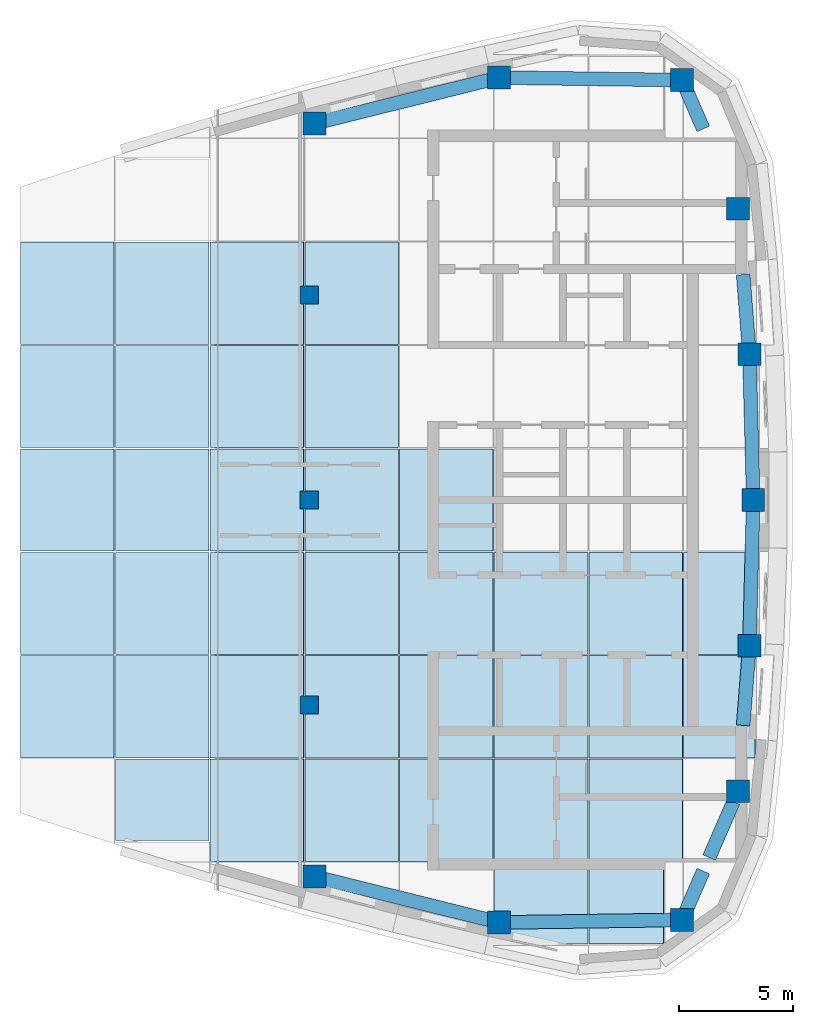
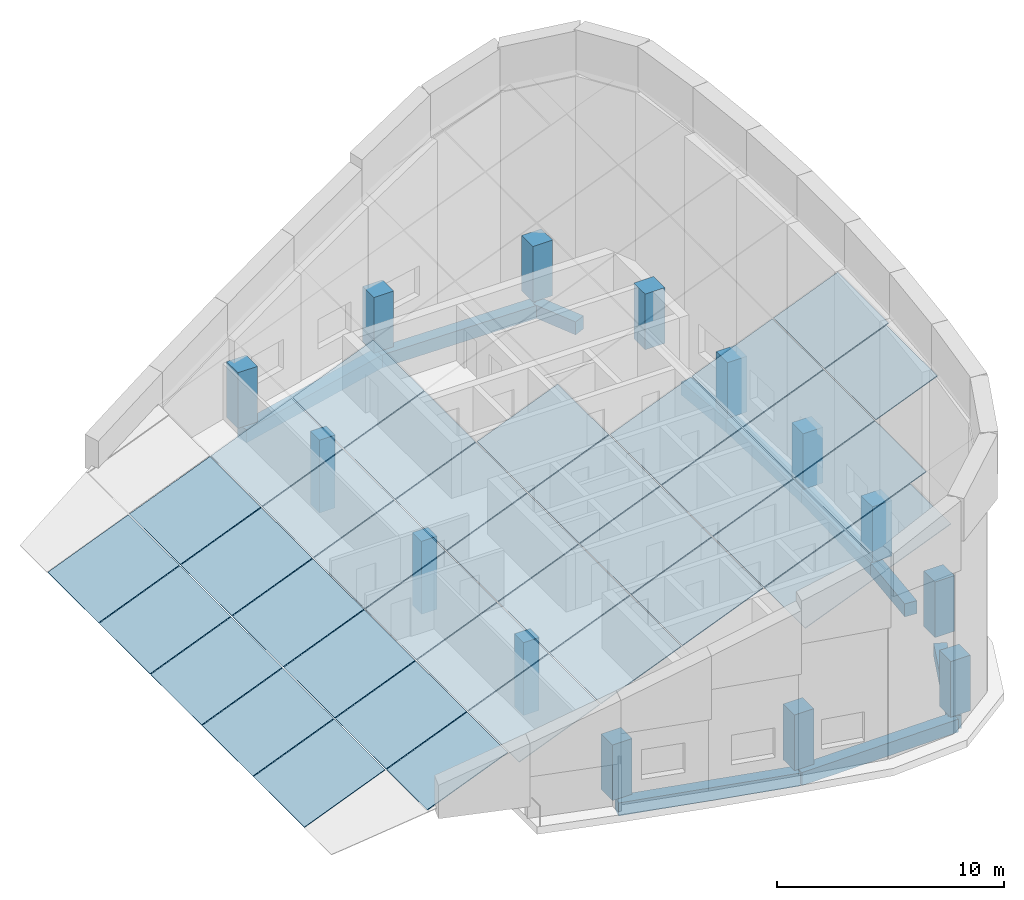
# One storey, part 1 of 6: 37 plates, 14 columns, 11 beams, 8 elements without a shape of their own.
"""IFC4 building model written with IfcOpenShell, lengths in metres."""

from ifc_helpers import new_model, si_unit, direction, frame, origin, origin_2d, place, context, subcontext, project, spatial, polyline, rectangle, outline, extrude, material, layer, layer_set, material_profile, profile_set, type_object, element, aggregate, save


model = new_model("IFC4")

# Units and contexts
model_context = context("Model", 3, precision=1e-05, world=origin(), true_north=direction((0.0, 1.0)))
body_context = subcontext(model_context, "Body", "Model", "MODEL_VIEW")
ifc_project = project(units=[si_unit("LENGTHUNIT", "METRE"), si_unit("AREAUNIT", "SQUARE_METRE"), si_unit("VOLUMEUNIT", "CUBIC_METRE"), si_unit("PLANEANGLEUNIT", "RADIAN"), si_unit("MASSUNIT", "GRAM", prefix="KILO")], contexts=[model_context])

# Site, building, storey
site_placement = place(None, origin())
site = spatial("IfcSite", under=ifc_project, at=site_placement, CompositionType="ELEMENT")
building_placement = place(site_placement, origin())
building = spatial("IfcBuilding", under=site, at=building_placement, Name="Ostrand Prow Hotel Tower", CompositionType="ELEMENT")
storey_placement = place(building_placement, frame((0.0, 0.0, 337.39990234375)))
storey = spatial("IfcBuildingStorey", under=building, at=storey_placement, Name="C7", CompositionType="ELEMENT", Elevation=337.39990234375)

# Columns
ifc_material_1 = material(Name="Concrete C40/50", Category="concrete")
ifc_material_profile_1 = material_profile(ifc_material_1, rectangle(XDim=0.800048828125, YDim=0.800048828125, at=origin_2d()), Name="RC 800x800")
ifc_profile_set_1 = profile_set([ifc_material_profile_1], Name="Concrete C40/50")
column_type_1 = type_object("IfcColumnType", Name="Interior column 800x800 C40/50", PredefinedType="COLUMN", material=ifc_profile_set_1)
for number, where, z_axis, x_axis, name in (
    (1, (45.0, -9.0, 0.0), (0.0, 0.0, 1.0), (1.0, 0.0, 0.0), "Interior column 45S9"),
    (2, (45.0, 0.0, 0.0), (0.0, 0.0, 1.0), (1.0, 0.0, 0.0), "Interior column 45C0"),
    (3, (45.0, 9.0, 0.0), (0.0, 0.0, 1.0), (1.0, 0.0, 0.0), "Interior column 45N9"),
):
    element("IfcColumn", number, at=place(storey_placement, frame(where, z_axis=z_axis, x_axis=x_axis)), inside=storey, type_object=column_type_1, Name=name, PredefinedType="COLUMN", context=body_context, shape_type="SweptSolid", body=[
        extrude(rectangle(XDim=0.800048828125, YDim=0.800048828125, at=origin_2d()), origin(), (0.0, 0.0, 1.0), 3.93017578125),
    ])
ifc_material_2 = material(Name="Concrete C40/50", Category="concrete")
ifc_material_profile_2 = material_profile(ifc_material_2, rectangle(XDim=1.0, YDim=1.0, at=origin_2d()), Name="RC 1000x1000")
ifc_profile_set_2 = profile_set([ifc_material_profile_2], Name="Concrete C40/50")
column_type_2 = type_object("IfcColumnType", Name="Stone-faced mega column 1000x1000 C40/50", PredefinedType="COLUMN", material=ifc_profile_set_2)
for number, where, z_axis, x_axis, name in (
    (4, (45.234619140625, -16.53857421875, 0.0), (0.0, 0.0, 1.0), (1.0, 0.0, 0.0), "Mega column S5"),
    (5, (53.3369140625, -18.552978515625, 0.0), (0.0, 0.0, 1.0), (1.0, 0.0, 0.0), "Mega column S6"),
    (6, (61.374267578125, -18.439697265625, 0.0), (0.0, 0.0, 1.0), (1.0, 0.0, 0.0), "Mega column SE"),
    (7, (63.831787109375, -12.7890625, 0.0), (0.0, 0.0, 1.0), (1.0, 0.0, 0.0), "Mega column B1"),
    (8, (64.332763671875, -6.4033203125, 0.0), (0.0, 0.0, 1.0), (1.0, 0.0, 0.0), "Mega column B2"),
    (9, (64.5, 0.0, 0.0), (0.0, 0.0, 1.0), (1.0, 0.0, 0.0), "Mega column B3"),
    (10, (64.332763671875, 6.4033203125, 0.0), (0.0, 0.0, 1.0), (1.0, 0.0, 0.0), "Mega column B4"),
    (11, (63.831787109375, 12.7890625, 0.0), (0.0, 0.0, 1.0), (1.0, 0.0, 0.0), "Mega column B5"),
    (12, (61.374267578125, 18.439697265625, 0.0), (0.0, 0.0, 1.0), (1.0, 0.0, 0.0), "Mega column NE"),
    (13, (53.3369140625, 18.552978515625, 0.0), (0.0, 0.0, 1.0), (1.0, 0.0, 0.0), "Mega column N1"),
    (14, (45.234619140625, 16.53857421875, 0.0), (0.0, 0.0, 1.0), (1.0, 0.0, 0.0), "Mega column N2"),
):
    element("IfcColumn", number, at=place(storey_placement, frame(where, z_axis=z_axis, x_axis=x_axis)), inside=storey, type_object=column_type_2, Name=name, PredefinedType="COLUMN", context=body_context, shape_type="SweptSolid", body=[
        extrude(rectangle(XDim=1.0, YDim=1.0, at=origin_2d()), origin(), (0.0, 0.0, 1.0), 3.0),
    ])

# Beams
ifc_material_3 = material(Name="Concrete C40/50", Category="concrete")
ifc_material_profile_3 = material_profile(ifc_material_3, rectangle(XDim=0.60009765625, YDim=0.699951171875, at=origin_2d()), Name="RC 600x700")
ifc_profile_set_3 = profile_set([ifc_material_profile_3], Name="Concrete C40/50")
beam_type = type_object("IfcBeamType", Name="Edge beam 600x700 C40/50", PredefinedType="SPANDREL", material=ifc_profile_set_3)
beam_1_placement = place(storey_placement, frame((45.234619140625, -16.53857421875, -0.75), z_axis=(0.970456465292, -0.241276291775, 0.0), x_axis=(0.241276291775, 0.970456465292, 0.0)))
element("IfcBeam", 15, at=beam_1_placement, inside=storey, type_object=beam_type, Name="Edge beam S5-S6", PredefinedType="SPANDREL", context=body_context, shape_type="SweptSolid", body=[
    extrude(rectangle(XDim=0.60009765625, YDim=0.699951171875, at=origin_2d()), origin(), (0.0, 0.0, 1.0), 8.348876953125),
])
beam_2_placement = place(storey_placement, frame((53.3369140625, -18.552978515625, -0.75), z_axis=(0.999900689486, 0.014092947356, 0.0), x_axis=(-0.014092947356, 0.999900689486, 0.0)))
element("IfcBeam", 16, at=beam_2_placement, inside=storey, type_object=beam_type, Name="Edge beam S6-SE", PredefinedType="SPANDREL", context=body_context, shape_type="SweptSolid", body=[
    extrude(rectangle(XDim=0.60009765625, YDim=0.699951171875, at=origin_2d()), origin(), (0.0, 0.0, 1.0), 8.0380859375),
])
beam_3_placement = place(storey_placement, frame((61.374267578125, -18.439697265625, -0.75), z_axis=(0.398863844187, 0.91701016014, 0.0), x_axis=(-0.91701016014, 0.398863844187, 0.0)))
element("IfcBeam", 17, at=beam_3_placement, inside=storey, type_object=beam_type, Name="Edge beam SE-B1", PredefinedType="SPANDREL", context=body_context, shape_type="SweptSolid", body=[
    extrude(rectangle(XDim=0.60009765625, YDim=0.699951171875, at=origin_2d()), origin(), (0.0, 0.0, 1.0), 2.333251953125),
])
beam_4_placement = place(storey_placement, frame((62.56591796875, -15.699951171875, -0.75), z_axis=(0.398799624102, 0.917038090712, 0.0), x_axis=(-0.917038090712, 0.398799624102, 0.0)))
element("IfcBeam", 18, at=beam_4_placement, inside=storey, type_object=beam_type, Name="Edge beam SE-B1", PredefinedType="SPANDREL", context=body_context, shape_type="SweptSolid", body=[
    extrude(rectangle(XDim=0.60009765625, YDim=0.699951171875, at=origin_2d()), origin(), (0.0, 0.0, 1.0), 2.671630859375),
])
beam_5_placement = place(storey_placement, frame((64.058349609375, -9.89990234375, -0.75), z_axis=(0.078240080308, 0.996934546414, 0.0), x_axis=(-0.996934546414, 0.078240080308, 0.0)))
element("IfcBeam", 19, at=beam_5_placement, inside=storey, type_object=beam_type, Name="Edge beam B1-B2", PredefinedType="SPANDREL", context=body_context, shape_type="SweptSolid", body=[
    extrude(rectangle(XDim=0.60009765625, YDim=0.699951171875, at=origin_2d()), origin(), (0.0, 0.0, 1.0), 3.50732421875),
])
for number, where, z_axis, x_axis, name in (
    (20, (64.332763671875, -6.4033203125, -0.75), (0.026108223987, 0.999659122221, 0.0), (-0.999659122221, 0.026108223987, 0.0), "Edge beam B2-B3"),
    (21, (64.5, 0.0, -0.75), (-0.026108223987, 0.999659122221, 0.0), (-0.999659122221, -0.026108223987, 0.0), "Edge beam B3-B4"),
):
    element("IfcBeam", number, at=place(storey_placement, frame(where, z_axis=z_axis, x_axis=x_axis)), inside=storey, type_object=beam_type, Name=name, PredefinedType="SPANDREL", context=body_context, shape_type="SweptSolid", body=[
        extrude(rectangle(XDim=0.60009765625, YDim=0.699951171875, at=origin_2d()), origin(), (0.0, 0.0, 1.0), 6.405517578125),
    ])
beam_6_placement = place(storey_placement, frame((64.332763671875, 6.4033203125, -0.75), z_axis=(-0.078240080308, 0.996934546414, 0.0), x_axis=(-0.996934546414, -0.078240080308, 0.0)))
element("IfcBeam", 22, at=beam_6_placement, inside=storey, type_object=beam_type, Name="Edge beam B4-B5", PredefinedType="SPANDREL", context=body_context, shape_type="SweptSolid", body=[
    extrude(rectangle(XDim=0.60009765625, YDim=0.699951171875, at=origin_2d()), origin(), (0.0, 0.0, 1.0), 3.50732421875),
])
beam_7_placement = place(storey_placement, frame((62.304931640625, 16.300048828125, -0.75), z_axis=(-0.398863844187, 0.91701016014, 0.0), x_axis=(-0.91701016014, -0.398863844187, 0.0)))
element("IfcBeam", 23, at=beam_7_placement, inside=storey, type_object=beam_type, Name="Edge beam B5-NE", PredefinedType="SPANDREL", context=body_context, shape_type="SweptSolid", body=[
    extrude(rectangle(XDim=0.60009765625, YDim=0.699951171875, at=origin_2d()), origin(), (0.0, 0.0, 1.0), 2.333251953125),
])
beam_8_placement = place(storey_placement, frame((61.374267578125, 18.439697265625, -0.75), z_axis=(-0.999900689486, 0.014092947356, 0.0), x_axis=(-0.014092947356, -0.999900689486, 0.0)))
element("IfcBeam", 24, at=beam_8_placement, inside=storey, type_object=beam_type, Name="Edge beam NE-N1", PredefinedType="SPANDREL", context=body_context, shape_type="SweptSolid", body=[
    extrude(rectangle(XDim=0.60009765625, YDim=0.699951171875, at=origin_2d()), origin(), (0.0, 0.0, 1.0), 8.0380859375),
])
beam_9_placement = place(storey_placement, frame((53.3369140625, 18.552978515625, -0.75), z_axis=(-0.970456465292, -0.241276291775, 0.0), x_axis=(0.241276291775, -0.970456465292, 0.0)))
element("IfcBeam", 25, at=beam_9_placement, inside=storey, type_object=beam_type, Name="Edge beam N1-N2", PredefinedType="SPANDREL", context=body_context, shape_type="SweptSolid", body=[
    extrude(rectangle(XDim=0.60009765625, YDim=0.699951171875, at=origin_2d()), origin(), (0.0, 0.0, 1.0), 8.348876953125),
])

# Curtain wall, plates
ifc_material_4 = material(Name="Insulated glass in bronze anodised frame", Category="glass")
ifc_layer_1 = layer(ifc_material_4, 0.0400390625)
ifc_layer_set_1 = layer_set([ifc_layer_1], Name="Insulated glass in bronze anodised frame")
curtain_wall_type = type_object("IfcCurtainWallType", Name="Crown slanted glazing system", PredefinedType="NOTDEFINED", material=ifc_layer_set_1)
curtain_wall_1_placement = place(storey_placement, origin())
curtain_wall_1 = element("IfcCurtainWall", 26, at=curtain_wall_1_placement, inside=storey, type_object=curtain_wall_type, Name="CW5 run 7", PredefinedType="NOTDEFINED")
ifc_material_5 = material(Name="Ceramic-fritted glass", Category="glass")
ifc_layer_2 = layer(ifc_material_5, 0.0400390625)
ifc_layer_set_2 = layer_set([ifc_layer_2], Name="Ceramic-fritted glass")
plate_type_1 = type_object("IfcPlateType", Name="Crown glazing panel 40 mm", PredefinedType="CURTAIN_PANEL", material=ifc_layer_set_2)
plate_1_placement = place(storey_placement, frame((32.32421875, -11.328369140625, -0.541015625), z_axis=(-0.374597809374, 0.0, 0.927187403502), x_axis=(0.927187403502, 0.0, 0.374597809374)))
plate_1 = element("IfcPlate", 27, at=plate_1_placement, type_object=plate_type_1, Name="CW5 panel 7.3", PredefinedType="CURTAIN_PANEL", context=body_context, shape_type="SweptSolid", body=[
    extrude(outline(polyline([(0.0, 0.0), (4.4331399962686415, 0.0), (4.4331399962686415, 4.491455078125001), (0.0, 4.491455078125001), (0.0, 0.0)])), origin(), (0.0, 0.0, -1.0), 0.0400390625),
])
plate_2_placement = place(storey_placement, frame((32.32421875, -6.787109375, -0.541015625), z_axis=(-0.374597809374, 0.0, 0.927187403502), x_axis=(0.927187403502, 0.0, 0.374597809374)))
plate_2 = element("IfcPlate", 28, at=plate_2_placement, type_object=plate_type_1, Name="CW5 panel 7.4", PredefinedType="CURTAIN_PANEL", context=body_context, shape_type="SweptSolid", body=[
    extrude(outline(polyline([(0.0, 0.0), (4.4331399962686415, 0.0), (4.4331399962686415, 4.491455078125001), (0.0, 4.491455078125001), (0.0, 0.0)])), origin(), (0.0, 0.0, -1.0), 0.0400390625),
])
plate_3_placement = place(storey_placement, frame((32.32421875, -2.24560546875, -0.541015625), z_axis=(-0.374597809374, 0.0, 0.927187403502), x_axis=(0.927187403502, 0.0, 0.374597809374)))
plate_3 = element("IfcPlate", 29, at=plate_3_placement, type_object=plate_type_1, Name="CW5 panel 7.5", PredefinedType="CURTAIN_PANEL", context=body_context, shape_type="SweptSolid", body=[
    extrude(outline(polyline([(0.0, 0.0), (4.4331399962686415, 0.0), (4.4331399962686415, 4.491210937500001), (0.0, 4.491210937500001), (0.0, 0.0)])), origin(), (0.0, 0.0, -1.0), 0.0400390625),
])

curtain_wall_2_placement = place(storey_placement, origin())
curtain_wall_2 = element("IfcCurtainWall", 30, at=curtain_wall_2_placement, inside=storey, type_object=curtain_wall_type, Name="CW5 run 8", PredefinedType="NOTDEFINED")
plate_4_placement = place(storey_placement, frame((36.484619140625, -6.787109375, 1.139892578125), z_axis=(-0.37455046405, 0.0, 0.927206530326), x_axis=(0.927206530326, 0.0, 0.37455046405)))
plate_4 = element("IfcPlate", 31, at=plate_4_placement, type_object=plate_type_1, Name="CW5 panel 8.4", PredefinedType="CURTAIN_PANEL", context=body_context, shape_type="SweptSolid", body=[
    extrude(outline(polyline([(0.0, 0.0), (4.433048547504735, 0.0), (4.433048547504735, 4.491455078125), (0.0, 4.491455078125), (0.0, 0.0)])), origin(), (0.0, 0.0, -1.0), 0.0400390625),
])
plate_5_placement = place(storey_placement, frame((36.484619140625, -2.24560546875, 1.139892578125), z_axis=(-0.37455046405, 0.0, 0.927206530326), x_axis=(0.927206530326, 0.0, 0.37455046405)))
plate_5 = element("IfcPlate", 32, at=plate_5_placement, type_object=plate_type_1, Name="CW5 panel 8.5", PredefinedType="CURTAIN_PANEL", context=body_context, shape_type="SweptSolid", body=[
    extrude(outline(polyline([(0.0, 0.0), (4.433048547504735, 0.0), (4.433048547504735, 4.4912109375), (0.0, 4.4912109375), (0.0, 0.0)])), origin(), (0.0, 0.0, -1.0), 0.0400390625),
])
plate_6_placement = place(storey_placement, frame((36.484619140625, 2.295654296875, 1.139892578125), z_axis=(-0.37455046405, 0.0, 0.927206530326), x_axis=(0.927206530326, 0.0, 0.37455046405)))
plate_6 = element("IfcPlate", 33, at=plate_6_placement, type_object=plate_type_1, Name="CW5 panel 8.6", PredefinedType="CURTAIN_PANEL", context=body_context, shape_type="SweptSolid", body=[
    extrude(outline(polyline([(0.0, 0.0), (4.433048547504735, 0.0), (4.433048547504735, 4.491455078125), (0.0, 4.491455078125), (0.0, 0.0)])), origin(), (0.0, 0.0, -1.0), 0.0400390625),
])

curtain_wall_3_placement = place(storey_placement, origin())
curtain_wall_3 = element("IfcCurtainWall", 34, at=curtain_wall_3_placement, inside=storey, type_object=curtain_wall_type, Name="CW5 run 9", PredefinedType="NOTDEFINED")
plate_7_placement = place(storey_placement, frame((40.64501953125, -15.86962890625, 2.820556640625), z_axis=(-0.37461693791, 0.0, 0.927179675053), x_axis=(0.927179675053, 0.0, 0.37461693791)))
plate_7 = element("IfcPlate", 35, at=plate_7_placement, type_object=plate_type_1, Name="CW5 panel 9.2", PredefinedType="CURTAIN_PANEL", context=body_context, shape_type="SweptSolid", body=[
    extrude(outline(polyline([(0.0, 0.0), (4.432913633099848, 0.0), (4.432913633099848, 4.4912109375), (0.0, 4.4912109375), (0.0, 0.0)])), origin(), (0.0, 0.0, -1.0), 0.0400390625),
])
plate_8_placement = place(storey_placement, frame((40.64501953125, -2.24560546875, 2.820556640625), z_axis=(-0.37461693791, 0.0, 0.927179675053), x_axis=(0.927179675053, 0.0, 0.37461693791)))
plate_8 = element("IfcPlate", 36, at=plate_8_placement, type_object=plate_type_1, Name="CW5 panel 9.5", PredefinedType="CURTAIN_PANEL", context=body_context, shape_type="SweptSolid", body=[
    extrude(outline(polyline([(0.0, 0.0), (4.432913633099848, 0.0), (4.432913633099848, 4.4912109375), (0.0, 4.4912109375), (0.0, 0.0)])), origin(), (0.0, 0.0, -1.0), 0.0400390625),
])
plate_9_placement = place(storey_placement, frame((40.64501953125, 2.295654296875, 2.820556640625), z_axis=(-0.37461693791, 0.0, 0.927179675053), x_axis=(0.927179675053, 0.0, 0.37461693791)))
plate_9 = element("IfcPlate", 37, at=plate_9_placement, type_object=plate_type_1, Name="CW5 panel 9.6", PredefinedType="CURTAIN_PANEL", context=body_context, shape_type="SweptSolid", body=[
    extrude(outline(polyline([(0.0, 0.0), (4.432913633099848, 0.0), (4.432913633099848, 4.491455078125001), (0.0, 4.491455078125001), (0.0, 0.0)])), origin(), (0.0, 0.0, -1.0), 0.0400390625),
])
plate_10_placement = place(storey_placement, frame((40.64501953125, 6.8369140625, 2.820556640625), z_axis=(-0.37461693791, 0.0, 0.927179675053), x_axis=(0.927179675053, 0.0, 0.37461693791)))
plate_10 = element("IfcPlate", 38, at=plate_10_placement, type_object=plate_type_1, Name="CW5 panel 9.7", PredefinedType="CURTAIN_PANEL", context=body_context, shape_type="SweptSolid", body=[
    extrude(outline(polyline([(0.0, 0.0), (4.432913633099848, 0.0), (4.432913633099848, 4.491455078125001), (0.0, 4.491455078125001), (0.0, 0.0)])), origin(), (0.0, 0.0, -1.0), 0.0400390625),
])

curtain_wall_4_placement = place(storey_placement, origin())
curtain_wall_4 = element("IfcCurtainWall", 39, at=curtain_wall_4_placement, inside=storey, type_object=curtain_wall_type, Name="CW5 run 10", PredefinedType="NOTDEFINED")
plate_11_placement = place(storey_placement, frame((44.80517578125, -15.86962890625, 4.50146484375), z_axis=(-0.374597809374, 0.0, 0.927187403502), x_axis=(0.927187403502, 0.0, 0.374597809374)))
plate_11 = element("IfcPlate", 40, at=plate_11_placement, type_object=plate_type_1, Name="CW5 panel 10.2", PredefinedType="CURTAIN_PANEL", context=body_context, shape_type="SweptSolid", body=[
    extrude(outline(polyline([(0.0, 0.0), (4.4331399962686415, 0.0), (4.4331399962686415, 4.491210937500001), (0.0, 4.491210937500001), (0.0, 0.0)])), origin(), (0.0, 0.0, -1.0), 0.0400390625),
])
plate_12_placement = place(storey_placement, frame((44.80517578125, -11.328369140625, 4.50146484375), z_axis=(-0.374597809374, 0.0, 0.927187403502), x_axis=(0.927187403502, 0.0, 0.374597809374)))
plate_12 = element("IfcPlate", 41, at=plate_12_placement, type_object=plate_type_1, Name="CW5 panel 10.3", PredefinedType="CURTAIN_PANEL", context=body_context, shape_type="SweptSolid", body=[
    extrude(outline(polyline([(0.0, 0.0), (4.4331399962686415, 0.0), (4.4331399962686415, 4.491455078125001), (0.0, 4.491455078125001), (0.0, 0.0)])), origin(), (0.0, 0.0, -1.0), 0.0400390625),
])
plate_13_placement = place(storey_placement, frame((44.80517578125, 2.295654296875, 4.50146484375), z_axis=(-0.374597809374, 0.0, 0.927187403502), x_axis=(0.927187403502, 0.0, 0.374597809374)))
plate_13 = element("IfcPlate", 42, at=plate_13_placement, type_object=plate_type_1, Name="CW5 panel 10.6", PredefinedType="CURTAIN_PANEL", context=body_context, shape_type="SweptSolid", body=[
    extrude(outline(polyline([(0.0, 0.0), (4.4331399962686415, 0.0), (4.4331399962686415, 4.491455078125001), (0.0, 4.491455078125001), (0.0, 0.0)])), origin(), (0.0, 0.0, -1.0), 0.0400390625),
])
plate_14_placement = place(storey_placement, frame((44.80517578125, 6.8369140625, 4.50146484375), z_axis=(-0.374597809374, 0.0, 0.927187403502), x_axis=(0.927187403502, 0.0, 0.374597809374)))
plate_14 = element("IfcPlate", 43, at=plate_14_placement, type_object=plate_type_1, Name="CW5 panel 10.7", PredefinedType="CURTAIN_PANEL", context=body_context, shape_type="SweptSolid", body=[
    extrude(outline(polyline([(0.0, 0.0), (4.4331399962686415, 0.0), (4.4331399962686415, 4.491455078125001), (0.0, 4.491455078125001), (0.0, 0.0)])), origin(), (0.0, 0.0, -1.0), 0.0400390625),
])

curtain_wall_5_placement = place(storey_placement, origin())
curtain_wall_5 = element("IfcCurtainWall", 44, at=curtain_wall_5_placement, inside=storey, type_object=curtain_wall_type, Name="CW5 run 11", PredefinedType="NOTDEFINED")
plate_15_placement = place(storey_placement, frame((48.965576171875, -15.86962890625, 6.18212890625), z_axis=(-0.374597809374, 0.0, 0.927187403502), x_axis=(0.927187403502, 0.0, 0.374597809374)))
plate_15 = element("IfcPlate", 45, at=plate_15_placement, type_object=plate_type_1, Name="CW5 panel 11.2", PredefinedType="CURTAIN_PANEL", context=body_context, shape_type="SweptSolid", body=[
    extrude(outline(polyline([(0.0, 0.0), (4.4331399962686415, 0.0), (4.4331399962686415, 4.491210937500001), (0.0, 4.491210937500001), (0.0, 0.0)])), origin(), (0.0, 0.0, -1.0), 0.0400390625),
])
plate_16_placement = place(storey_placement, frame((48.965576171875, -11.328369140625, 6.18212890625), z_axis=(-0.374597809374, 0.0, 0.927187403502), x_axis=(0.927187403502, 0.0, 0.374597809374)))
plate_16 = element("IfcPlate", 46, at=plate_16_placement, type_object=plate_type_1, Name="CW5 panel 11.3", PredefinedType="CURTAIN_PANEL", context=body_context, shape_type="SweptSolid", body=[
    extrude(outline(polyline([(0.0, 0.0), (4.4331399962686415, 0.0), (4.4331399962686415, 4.491455078125001), (0.0, 4.491455078125001), (0.0, 0.0)])), origin(), (0.0, 0.0, -1.0), 0.0400390625),
])
plate_17_placement = place(storey_placement, frame((48.965576171875, -6.787109375, 6.18212890625), z_axis=(-0.374597809374, 0.0, 0.927187403502), x_axis=(0.927187403502, 0.0, 0.374597809374)))
plate_17 = element("IfcPlate", 47, at=plate_17_placement, type_object=plate_type_1, Name="CW5 panel 11.4", PredefinedType="CURTAIN_PANEL", context=body_context, shape_type="SweptSolid", body=[
    extrude(outline(polyline([(0.0, 0.0), (4.4331399962686415, 0.0), (4.4331399962686415, 4.491455078125001), (0.0, 4.491455078125001), (0.0, 0.0)])), origin(), (0.0, 0.0, -1.0), 0.0400390625),
])

curtain_wall_6_placement = place(storey_placement, origin())
curtain_wall_6 = element("IfcCurtainWall", 48, at=curtain_wall_6_placement, inside=storey, type_object=curtain_wall_type, Name="CW5 run 12", PredefinedType="NOTDEFINED")
plate_18_placement = place(storey_placement, frame((53.1259765625, -11.328369140625, 7.863037109375), z_axis=(-0.37455046405, 0.0, 0.927206530326), x_axis=(0.927206530326, 0.0, 0.37455046405)))
plate_18 = element("IfcPlate", 49, at=plate_18_placement, type_object=plate_type_1, Name="CW5 panel 12.3", PredefinedType="CURTAIN_PANEL", context=body_context, shape_type="SweptSolid", body=[
    extrude(outline(polyline([(0.0, 0.0), (4.433048547504735, 0.0), (4.433048547504735, 4.491455078125), (0.0, 4.491455078125), (0.0, 0.0)])), origin(), (0.0, 0.0, -1.0), 0.0400390625),
])
plate_19_placement = place(storey_placement, frame((53.1259765625, -6.787109375, 7.863037109375), z_axis=(-0.37455046405, 0.0, 0.927206530326), x_axis=(0.927206530326, 0.0, 0.37455046405)))
plate_19 = element("IfcPlate", 50, at=plate_19_placement, type_object=plate_type_1, Name="CW5 panel 12.4", PredefinedType="CURTAIN_PANEL", context=body_context, shape_type="SweptSolid", body=[
    extrude(outline(polyline([(0.0, 0.0), (4.433048547504735, 0.0), (4.433048547504735, 4.491455078125), (0.0, 4.491455078125), (0.0, 0.0)])), origin(), (0.0, 0.0, -1.0), 0.0400390625),
])

curtain_wall_7_placement = place(storey_placement, origin())
curtain_wall_7 = element("IfcCurtainWall", 51, at=curtain_wall_7_placement, inside=storey, type_object=curtain_wall_type, Name="CW5 run 13", PredefinedType="NOTDEFINED")
plate_20_placement = place(storey_placement, frame((60.564453125, -19.477783203125, 10.8681640625), z_axis=(-0.374614896272, 0.0, 0.927180499952), x_axis=(0.0, 1.0, 0.0)))
plate_20 = element("IfcPlate", 52, at=plate_20_placement, type_object=plate_type_1, Name="CW5 panel 13.1", PredefinedType="CURTAIN_PANEL", context=body_context, shape_type="SweptSolid", body=[
    extrude(outline(polyline([(0.0, 0.0), (3.55810546875, 0.0), (3.55810546875, 3.5355318323071834), (0.0, 3.5355318323071834), (0.0, 0.0)])), origin(), (0.0, 0.0, -1.0), 0.0400390625),
])
plate_21_placement = place(storey_placement, frame((57.286376953125, -6.787109375, 9.543701171875), z_axis=(-0.37461693791, 0.0, 0.927179675053), x_axis=(0.927179675053, 0.0, 0.37461693791)))
plate_21 = element("IfcPlate", 53, at=plate_21_placement, type_object=plate_type_1, Name="CW5 panel 13.4", PredefinedType="CURTAIN_PANEL", context=body_context, shape_type="SweptSolid", body=[
    extrude(outline(polyline([(0.0, 0.0), (4.432913633099848, 0.0), (4.432913633099848, 4.491455078125001), (0.0, 4.491455078125001), (0.0, 0.0)])), origin(), (0.0, 0.0, -1.0), 0.0400390625),
])

# Plate
ifc_material_6 = material(Name="Ceramic-fritted glass", Category="glass")
ifc_layer_3 = layer(ifc_material_6, 0.031982421875)
ifc_layer_set_3 = layer_set([ifc_layer_3], Name="Ceramic-fritted glass")
plate_type_2 = type_object("IfcPlateType", Name="Dot-fritted ceramic glass unit 32 mm", PredefinedType="CURTAIN_PANEL", material=ifc_layer_set_3)
plate_22_placement = place(storey_placement, frame((32.32421875, 2.295654296875, -0.541015625), z_axis=(-0.374597809374, 0.0, 0.927187403502), x_axis=(0.927187403502, 0.0, 0.374597809374)))
plate_22 = element("IfcPlate", 54, at=plate_22_placement, type_object=plate_type_2, Name="CW5 panel 7.6", PredefinedType="CURTAIN_PANEL", context=body_context, shape_type="SweptSolid", body=[
    extrude(outline(polyline([(0.0, 0.0), (4.4331399962686415, 0.0), (4.4331399962686415, 4.491455078125001), (0.0, 4.491455078125001), (0.0, 0.0)])), origin(), (0.0, 0.0, -1.0), 0.0400390625),
])

plate_23_placement = place(storey_placement, frame((32.32421875, 6.8369140625, -0.541015625), z_axis=(-0.374597809374, 0.0, 0.927187403502), x_axis=(0.927187403502, 0.0, 0.374597809374)))
plate_23 = element("IfcPlate", 55, at=plate_23_placement, type_object=plate_type_2, Name="CW5 panel 7.7", PredefinedType="CURTAIN_PANEL", context=body_context, shape_type="SweptSolid", body=[
    extrude(outline(polyline([(0.0, 0.0), (4.4331399962686415, 0.0), (4.4331399962686415, 4.491455078125001), (0.0, 4.491455078125001), (0.0, 0.0)])), origin(), (0.0, 0.0, -1.0), 0.0400390625),
])

aggregate(curtain_wall_1, [plate_1, plate_2, plate_3, plate_22, plate_23])

plate_24_placement = place(storey_placement, frame((40.594970703125, -14.96142578125, 2.80029296875), z_axis=(-0.37455046405, 0.0, 0.927206530326), x_axis=(0.0, 1.0, 0.0)))
plate_24 = element("IfcPlate", 56, at=plate_24_placement, type_object=plate_type_2, Name="CW5 panel 8.2", PredefinedType="CURTAIN_PANEL", context=body_context, shape_type="SweptSolid", body=[
    extrude(outline(polyline([(0.0, 0.0), (3.5830078125, 0.0), (3.5830078125, 4.433048547504735), (0.0, 4.433048547504735), (0.0, 0.0)])), origin(), (0.0, 0.0, -1.0), 0.0400390625),
])

plate_25_placement = place(storey_placement, frame((36.484619140625, -11.328369140625, 1.139892578125), z_axis=(-0.37455046405, 0.0, 0.927206530326), x_axis=(0.927206530326, 0.0, 0.37455046405)))
plate_25 = element("IfcPlate", 57, at=plate_25_placement, type_object=plate_type_2, Name="CW5 panel 8.3", PredefinedType="CURTAIN_PANEL", context=body_context, shape_type="SweptSolid", body=[
    extrude(outline(polyline([(0.0, 0.0), (4.433048547504735, 0.0), (4.433048547504735, 4.491455078125), (0.0, 4.491455078125), (0.0, 0.0)])), origin(), (0.0, 0.0, -1.0), 0.0400390625),
])

plate_26_placement = place(storey_placement, frame((36.484619140625, 6.8369140625, 1.139892578125), z_axis=(-0.37455046405, 0.0, 0.927206530326), x_axis=(0.927206530326, 0.0, 0.37455046405)))
plate_26 = element("IfcPlate", 58, at=plate_26_placement, type_object=plate_type_2, Name="CW5 panel 8.7", PredefinedType="CURTAIN_PANEL", context=body_context, shape_type="SweptSolid", body=[
    extrude(outline(polyline([(0.0, 0.0), (4.433048547504735, 0.0), (4.433048547504735, 4.491455078125), (0.0, 4.491455078125), (0.0, 0.0)])), origin(), (0.0, 0.0, -1.0), 0.0400390625),
])

aggregate(curtain_wall_2, [plate_24, plate_25, plate_4, plate_5, plate_6, plate_26])

plate_27_placement = place(storey_placement, frame((40.64501953125, -11.328369140625, 2.820556640625), z_axis=(-0.37461693791, 0.0, 0.927179675053), x_axis=(0.927179675053, 0.0, 0.37461693791)))
plate_27 = element("IfcPlate", 59, at=plate_27_placement, type_object=plate_type_2, Name="CW5 panel 9.3", PredefinedType="CURTAIN_PANEL", context=body_context, shape_type="SweptSolid", body=[
    extrude(outline(polyline([(0.0, 0.0), (4.432913633099848, 0.0), (4.432913633099848, 4.491455078125001), (0.0, 4.491455078125001), (0.0, 0.0)])), origin(), (0.0, 0.0, -1.0), 0.0400390625),
])

plate_28_placement = place(storey_placement, frame((40.64501953125, -6.787109375, 2.820556640625), z_axis=(-0.37461693791, 0.0, 0.927179675053), x_axis=(0.927179675053, 0.0, 0.37461693791)))
plate_28 = element("IfcPlate", 60, at=plate_28_placement, type_object=plate_type_2, Name="CW5 panel 9.4", PredefinedType="CURTAIN_PANEL", context=body_context, shape_type="SweptSolid", body=[
    extrude(outline(polyline([(0.0, 0.0), (4.432913633099848, 0.0), (4.432913633099848, 4.491455078125001), (0.0, 4.491455078125001), (0.0, 0.0)])), origin(), (0.0, 0.0, -1.0), 0.0400390625),
])

aggregate(curtain_wall_3, [plate_7, plate_27, plate_28, plate_8, plate_9, plate_10])

plate_29_placement = place(storey_placement, frame((44.80517578125, -6.787109375, 4.50146484375), z_axis=(-0.374597809374, 0.0, 0.927187403502), x_axis=(0.927187403502, 0.0, 0.374597809374)))
plate_29 = element("IfcPlate", 61, at=plate_29_placement, type_object=plate_type_2, Name="CW5 panel 10.4", PredefinedType="CURTAIN_PANEL", context=body_context, shape_type="SweptSolid", body=[
    extrude(outline(polyline([(0.0, 0.0), (4.4331399962686415, 0.0), (4.4331399962686415, 4.491455078125001), (0.0, 4.491455078125001), (0.0, 0.0)])), origin(), (0.0, 0.0, -1.0), 0.0400390625),
])

plate_30_placement = place(storey_placement, frame((44.80517578125, -2.24560546875, 4.50146484375), z_axis=(-0.374597809374, 0.0, 0.927187403502), x_axis=(0.927187403502, 0.0, 0.374597809374)))
plate_30 = element("IfcPlate", 62, at=plate_30_placement, type_object=plate_type_2, Name="CW5 panel 10.5", PredefinedType="CURTAIN_PANEL", context=body_context, shape_type="SweptSolid", body=[
    extrude(outline(polyline([(0.0, 0.0), (4.4331399962686415, 0.0), (4.4331399962686415, 4.491210937500001), (0.0, 4.491210937500001), (0.0, 0.0)])), origin(), (0.0, 0.0, -1.0), 0.0400390625),
])

aggregate(curtain_wall_4, [plate_11, plate_12, plate_29, plate_30, plate_13, plate_14])

plate_31_placement = place(storey_placement, frame((48.965576171875, -2.24560546875, 6.18212890625), z_axis=(-0.374597809374, 0.0, 0.927187403502), x_axis=(0.927187403502, 0.0, 0.374597809374)))
plate_31 = element("IfcPlate", 63, at=plate_31_placement, type_object=plate_type_2, Name="CW5 panel 11.5", PredefinedType="CURTAIN_PANEL", context=body_context, shape_type="SweptSolid", body=[
    extrude(outline(polyline([(0.0, 0.0), (4.4331399962686415, 0.0), (4.4331399962686415, 4.491210937500001), (0.0, 4.491210937500001), (0.0, 0.0)])), origin(), (0.0, 0.0, -1.0), 0.0400390625),
])

aggregate(curtain_wall_5, [plate_15, plate_16, plate_17, plate_31])

plate_32_placement = place(storey_placement, frame((57.236328125, -19.502685546875, 9.5234375), z_axis=(-0.37455046405, 0.0, 0.927206530326), x_axis=(0.0, 1.0, 0.0)))
plate_32 = element("IfcPlate", 64, at=plate_32_placement, type_object=plate_type_2, Name="CW5 panel 12.1", PredefinedType="CURTAIN_PANEL", context=body_context, shape_type="SweptSolid", body=[
    extrude(outline(polyline([(0.0, 0.0), (3.5830078125, 0.0), (3.5830078125, 4.433048547504735), (0.0, 4.433048547504735), (0.0, 0.0)])), origin(), (0.0, 0.0, -1.0), 0.0400390625),
])

plate_33_placement = place(storey_placement, frame((53.1259765625, -15.86962890625, 7.863037109375), z_axis=(-0.37455046405, 0.0, 0.927206530326), x_axis=(0.927206530326, 0.0, 0.37455046405)))
plate_33 = element("IfcPlate", 65, at=plate_33_placement, type_object=plate_type_2, Name="CW5 panel 12.2", PredefinedType="CURTAIN_PANEL", context=body_context, shape_type="SweptSolid", body=[
    extrude(outline(polyline([(0.0, 0.0), (4.433048547504735, 0.0), (4.433048547504735, 4.4912109375), (0.0, 4.4912109375), (0.0, 0.0)])), origin(), (0.0, 0.0, -1.0), 0.0400390625),
])

aggregate(curtain_wall_6, [plate_32, plate_33, plate_18, plate_19])

plate_34_placement = place(storey_placement, frame((57.286376953125, -15.86962890625, 9.543701171875), z_axis=(-0.37461693791, 0.0, 0.927179675053), x_axis=(0.927179675053, 0.0, 0.37461693791)))
plate_34 = element("IfcPlate", 66, at=plate_34_placement, type_object=plate_type_2, Name="CW5 panel 13.2", PredefinedType="CURTAIN_PANEL", context=body_context, shape_type="SweptSolid", body=[
    extrude(outline(polyline([(0.0, 0.0), (4.432913633099848, 0.0), (4.432913633099848, 4.4912109375), (0.0, 4.4912109375), (0.0, 0.0)])), origin(), (0.0, 0.0, -1.0), 0.0400390625),
])

plate_35_placement = place(storey_placement, frame((57.286376953125, -11.328369140625, 9.543701171875), z_axis=(-0.37461693791, 0.0, 0.927179675053), x_axis=(0.927179675053, 0.0, 0.37461693791)))
plate_35 = element("IfcPlate", 67, at=plate_35_placement, type_object=plate_type_2, Name="CW5 panel 13.3", PredefinedType="CURTAIN_PANEL", context=body_context, shape_type="SweptSolid", body=[
    extrude(outline(polyline([(0.0, 0.0), (4.432913633099848, 0.0), (4.432913633099848, 4.491455078125001), (0.0, 4.491455078125001), (0.0, 0.0)])), origin(), (0.0, 0.0, -1.0), 0.0400390625),
])

aggregate(curtain_wall_7, [plate_20, plate_34, plate_35, plate_21])

# Curtain wall, plates
curtain_wall_8_placement = place(storey_placement, origin())
curtain_wall_8 = element("IfcCurtainWall", 68, at=curtain_wall_8_placement, inside=storey, type_object=curtain_wall_type, Name="CW5 run 14", PredefinedType="NOTDEFINED")
plate_36_placement = place(storey_placement, frame((64.58349609375, -11.328369140625, 12.49169921875), z_axis=(-0.374523899421, 0.0, 0.92721726082), x_axis=(0.0, 1.0, 0.0)))
plate_36 = element("IfcPlate", 69, at=plate_36_placement, type_object=plate_type_2, Name="CW5 panel 14.3", PredefinedType="CURTAIN_PANEL", context=body_context, shape_type="SweptSolid", body=[
    extrude(outline(polyline([(0.0, 0.0), (4.491455078125, 0.0), (4.491455078125, 3.3832015679372036), (0.0, 3.3832015679372036), (0.0, 0.0)])), origin(), (0.0, 0.0, -1.0), 0.0400390625),
])
plate_37_placement = place(storey_placement, frame((64.720703125, -6.787109375, 12.547119140625), z_axis=(-0.374523635734, 0.0, 0.927217367329), x_axis=(0.0, 1.0, 0.0)))
plate_37 = element("IfcPlate", 70, at=plate_37_placement, type_object=plate_type_2, Name="CW5 panel 14.4", PredefinedType="CURTAIN_PANEL", context=body_context, shape_type="SweptSolid", body=[
    extrude(outline(polyline([(0.0, 0.0), (4.491455078125, 0.0), (4.491455078125, 3.531178380864444), (0.0, 3.531178380864444), (0.0, 0.0)])), origin(), (0.0, 0.0, -1.0), 0.0400390625),
])
aggregate(curtain_wall_8, [plate_36, plate_37])

save(model, "model.ifc")
